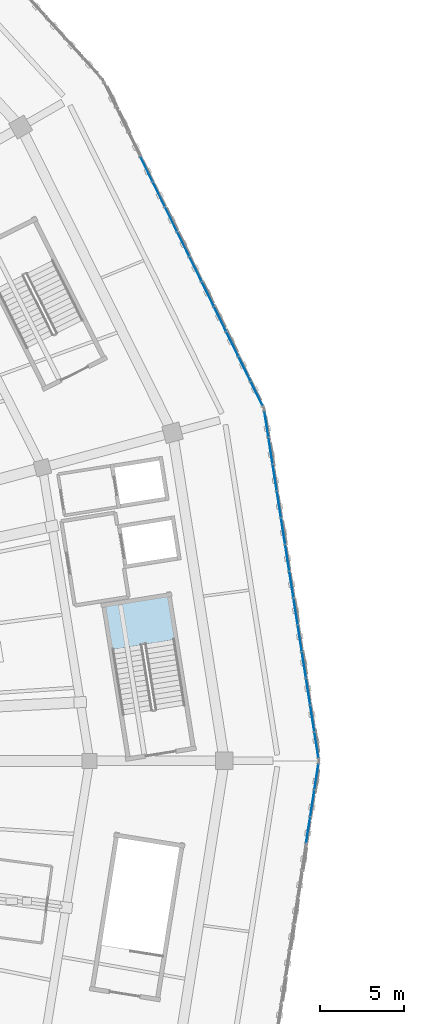
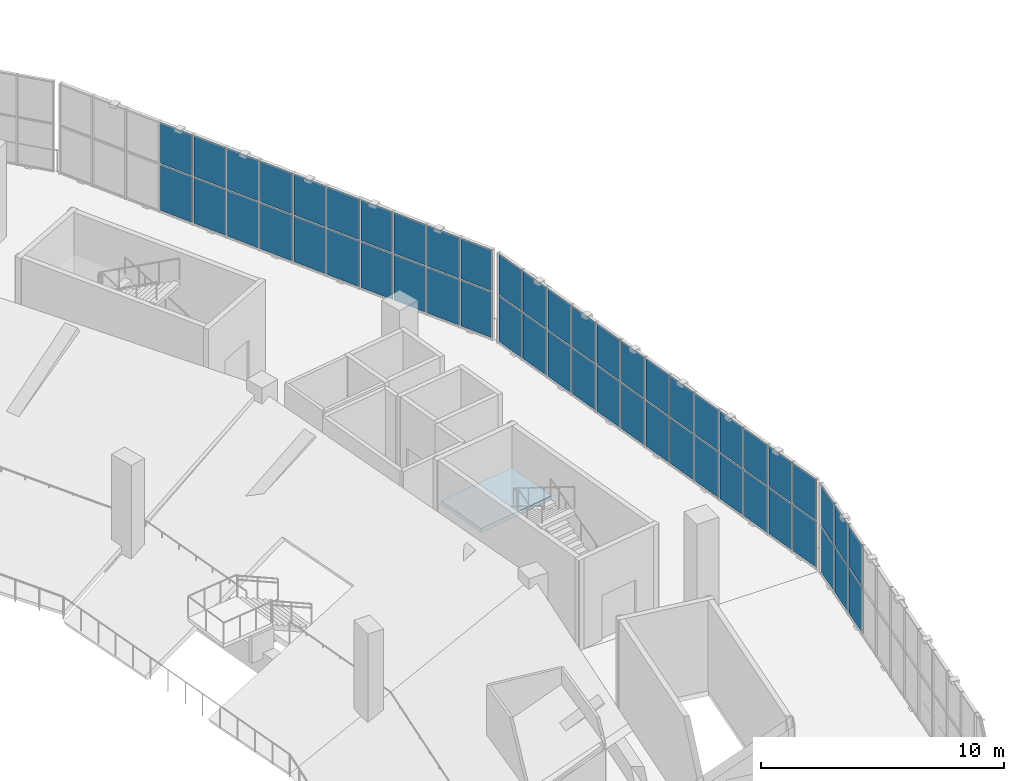
# One storey, part 81 of 152: 52 plates, 1 slab, 4 elements without a shape of their own.
"""IFC4 building model written with IfcOpenShell, lengths in metres."""

from ifc_helpers import new_model, si_unit, direction, frame, origin, origin_2d, place, context, subcontext, project, spatial, polyline, rectangle, outline, extrude, material, layer, layer_set, type_object, element, aggregate, save


model = new_model("IFC4")

# Units and contexts
model_context = context("Model", 3, precision=1e-05, world=origin(), true_north=direction((0.0, 1.0)))
body_context = subcontext(model_context, "Body", "Model", "MODEL_VIEW")
ifc_project = project(units=[si_unit("LENGTHUNIT", "METRE"), si_unit("AREAUNIT", "SQUARE_METRE"), si_unit("VOLUMEUNIT", "CUBIC_METRE"), si_unit("PLANEANGLEUNIT", "RADIAN"), si_unit("MASSUNIT", "GRAM", prefix="KILO")], contexts=[model_context])

# Site, building, storey
site_placement = place(None, origin())
site = spatial("IfcSite", under=ifc_project, at=site_placement, CompositionType="ELEMENT")
building_placement = place(site_placement, origin())
building = spatial("IfcBuilding", under=site, at=building_placement, Name="Zevraka Park Crest Stadium", CompositionType="ELEMENT")
storey_placement = place(building_placement, frame((0.0, 0.0, 15.0)))
storey = spatial("IfcBuildingStorey", under=building, at=storey_placement, Name="L03", CompositionType="ELEMENT", Elevation=15.0)

# Curtain wall, plates
ifc_material_1 = material(Name="Anodised architectural aluminium and laminated safety glass", Category="aluminium")
curtain_wall_type_1 = type_object("IfcCurtainWallType", Name="CW11", PredefinedType="NOTDEFINED", material=ifc_material_1)
curtain_wall_1_placement = place(storey_placement, origin())
curtain_wall_1 = element("IfcCurtainWall", 1, at=curtain_wall_1_placement, inside=storey, type_object=curtain_wall_type_1, Name="Unitised Ring Curtain Wall CW11 L03-00", PredefinedType="NOTDEFINED")
ifc_material_2 = material(Name="Solar-control laminated double glazing", Category="glass")
ifc_layer_1 = layer(ifc_material_2, 0.028076171875)
ifc_layer_set_1 = layer_set([ifc_layer_1], Name="Solar-control laminated double glazing")
plate_type_1 = type_object("IfcPlateType", Name="CP11", PredefinedType="CURTAIN_PANEL", material=ifc_layer_set_1)
plate_1_placement = place(storey_placement, frame((207.7724609375, 92.937744140625, 0.06494140625), z_axis=(0.0, 0.0, 1.0), x_axis=(-0.154127730222, 0.988050931267, 0.0)))
plate_1 = element("IfcPlate", 2, at=plate_1_placement, type_object=plate_type_1, Name="CW11 panel 1.1", PredefinedType="CURTAIN_PANEL", context=body_context, shape_type="SweptSolid", body=[
    extrude(rectangle(XDim=1.512939453125, YDim=0.028076171875, at=origin_2d()), origin(), (0.0, 0.0, 1.0), 2.302490234375),
])
plate_2_placement = place(storey_placement, frame((207.7724609375, 92.937744140625, 2.4326171875), z_axis=(0.0, 0.0, 1.0), x_axis=(-0.154127730222, 0.988050931267, 0.0)))
plate_2 = element("IfcPlate", 3, at=plate_2_placement, type_object=plate_type_1, Name="CW11 panel 1.2", PredefinedType="CURTAIN_PANEL", context=body_context, shape_type="SweptSolid", body=[
    extrude(rectangle(XDim=1.512939453125, YDim=0.028076171875, at=origin_2d()), origin(), (0.0, 0.0, 1.0), 2.04248046875),
])
plate_3_placement = place(storey_placement, frame((207.526611328125, 94.512939453125, 0.06494140625), z_axis=(0.0, 0.0, 1.0), x_axis=(-0.154127730222, 0.988050931267, 0.0)))
plate_3 = element("IfcPlate", 4, at=plate_3_placement, type_object=plate_type_1, Name="CW11 panel 2.1", PredefinedType="CURTAIN_PANEL", context=body_context, shape_type="SweptSolid", body=[
    extrude(rectangle(XDim=1.545654296875, YDim=0.028076171875, at=origin_2d()), origin(), (0.0, 0.0, 1.0), 2.302490234375),
])
plate_4_placement = place(storey_placement, frame((207.526611328125, 94.512939453125, 2.4326171875), z_axis=(0.0, 0.0, 1.0), x_axis=(-0.154127730222, 0.988050931267, 0.0)))
plate_4 = element("IfcPlate", 5, at=plate_4_placement, type_object=plate_type_1, Name="CW11 panel 2.2", PredefinedType="CURTAIN_PANEL", context=body_context, shape_type="SweptSolid", body=[
    extrude(rectangle(XDim=1.545654296875, YDim=0.028076171875, at=origin_2d()), origin(), (0.0, 0.0, 1.0), 2.04248046875),
])
plate_5_placement = place(storey_placement, frame((207.2783203125, 96.104248046875, 0.06494140625), z_axis=(0.0, 0.0, 1.0), x_axis=(-0.154127730222, 0.988050931267, 0.0)))
plate_5 = element("IfcPlate", 6, at=plate_5_placement, type_object=plate_type_1, Name="CW11 panel 3.1", PredefinedType="CURTAIN_PANEL", context=body_context, shape_type="SweptSolid", body=[
    extrude(rectangle(XDim=1.545654296875, YDim=0.028076171875, at=origin_2d()), origin(), (0.0, 0.0, 1.0), 2.302490234375),
])
plate_6_placement = place(storey_placement, frame((207.2783203125, 96.104248046875, 2.4326171875), z_axis=(0.0, 0.0, 1.0), x_axis=(-0.154127730222, 0.988050931267, 0.0)))
plate_6 = element("IfcPlate", 7, at=plate_6_placement, type_object=plate_type_1, Name="CW11 panel 3.2", PredefinedType="CURTAIN_PANEL", context=body_context, shape_type="SweptSolid", body=[
    extrude(rectangle(XDim=1.545654296875, YDim=0.028076171875, at=origin_2d()), origin(), (0.0, 0.0, 1.0), 2.04248046875),
])
plate_7_placement = place(storey_placement, frame((207.0302734375, 97.695556640625, 0.06494140625), z_axis=(0.0, 0.0, 1.0), x_axis=(-0.154127730222, 0.988050931267, 0.0)))
plate_7 = element("IfcPlate", 8, at=plate_7_placement, type_object=plate_type_1, Name="CW11 panel 4.1", PredefinedType="CURTAIN_PANEL", context=body_context, shape_type="SweptSolid", body=[
    extrude(rectangle(XDim=1.545654296875, YDim=0.028076171875, at=origin_2d()), origin(), (0.0, 0.0, 1.0), 2.302490234375),
])
plate_8_placement = place(storey_placement, frame((207.0302734375, 97.695556640625, 2.4326171875), z_axis=(0.0, 0.0, 1.0), x_axis=(-0.154127730222, 0.988050931267, 0.0)))
plate_8 = element("IfcPlate", 9, at=plate_8_placement, type_object=plate_type_1, Name="CW11 panel 4.2", PredefinedType="CURTAIN_PANEL", context=body_context, shape_type="SweptSolid", body=[
    extrude(rectangle(XDim=1.545654296875, YDim=0.028076171875, at=origin_2d()), origin(), (0.0, 0.0, 1.0), 2.04248046875),
])
plate_9_placement = place(storey_placement, frame((206.781982421875, 99.286865234375, 0.06494140625), z_axis=(0.0, 0.0, 1.0), x_axis=(-0.154127730222, 0.988050931267, 0.0)))
plate_9 = element("IfcPlate", 10, at=plate_9_placement, type_object=plate_type_1, Name="CW11 panel 5.1", PredefinedType="CURTAIN_PANEL", context=body_context, shape_type="SweptSolid", body=[
    extrude(rectangle(XDim=1.545654296875, YDim=0.028076171875, at=origin_2d()), origin(), (0.0, 0.0, 1.0), 2.302490234375),
])
plate_10_placement = place(storey_placement, frame((206.781982421875, 99.286865234375, 2.4326171875), z_axis=(0.0, 0.0, 1.0), x_axis=(-0.154127730222, 0.988050931267, 0.0)))
plate_10 = element("IfcPlate", 11, at=plate_10_placement, type_object=plate_type_1, Name="CW11 panel 5.2", PredefinedType="CURTAIN_PANEL", context=body_context, shape_type="SweptSolid", body=[
    extrude(rectangle(XDim=1.545654296875, YDim=0.028076171875, at=origin_2d()), origin(), (0.0, 0.0, 1.0), 2.04248046875),
])
plate_11_placement = place(storey_placement, frame((206.53369140625, 100.878173828125, 0.06494140625), z_axis=(0.0, 0.0, 1.0), x_axis=(-0.154127730222, 0.988050931267, 0.0)))
plate_11 = element("IfcPlate", 12, at=plate_11_placement, type_object=plate_type_1, Name="CW11 panel 6.1", PredefinedType="CURTAIN_PANEL", context=body_context, shape_type="SweptSolid", body=[
    extrude(rectangle(XDim=1.545654296875, YDim=0.028076171875, at=origin_2d()), origin(), (0.0, 0.0, 1.0), 2.302490234375),
])
plate_12_placement = place(storey_placement, frame((206.53369140625, 100.878173828125, 2.4326171875), z_axis=(0.0, 0.0, 1.0), x_axis=(-0.154127730222, 0.988050931267, 0.0)))
plate_12 = element("IfcPlate", 13, at=plate_12_placement, type_object=plate_type_1, Name="CW11 panel 6.2", PredefinedType="CURTAIN_PANEL", context=body_context, shape_type="SweptSolid", body=[
    extrude(rectangle(XDim=1.545654296875, YDim=0.028076171875, at=origin_2d()), origin(), (0.0, 0.0, 1.0), 2.04248046875),
])
plate_13_placement = place(storey_placement, frame((206.285400390625, 102.469482421875, 0.06494140625), z_axis=(0.0, 0.0, 1.0), x_axis=(-0.154127730222, 0.988050931267, 0.0)))
plate_13 = element("IfcPlate", 14, at=plate_13_placement, type_object=plate_type_1, Name="CW11 panel 7.1", PredefinedType="CURTAIN_PANEL", context=body_context, shape_type="SweptSolid", body=[
    extrude(rectangle(XDim=1.545654296875, YDim=0.028076171875, at=origin_2d()), origin(), (0.0, 0.0, 1.0), 2.302490234375),
])
plate_14_placement = place(storey_placement, frame((206.285400390625, 102.469482421875, 2.4326171875), z_axis=(0.0, 0.0, 1.0), x_axis=(-0.154127730222, 0.988050931267, 0.0)))
plate_14 = element("IfcPlate", 15, at=plate_14_placement, type_object=plate_type_1, Name="CW11 panel 7.2", PredefinedType="CURTAIN_PANEL", context=body_context, shape_type="SweptSolid", body=[
    extrude(rectangle(XDim=1.545654296875, YDim=0.028076171875, at=origin_2d()), origin(), (0.0, 0.0, 1.0), 2.04248046875),
])
plate_15_placement = place(storey_placement, frame((206.037353515625, 104.060791015625, 0.06494140625), z_axis=(0.0, 0.0, 1.0), x_axis=(-0.154127730222, 0.988050931267, 0.0)))
plate_15 = element("IfcPlate", 16, at=plate_15_placement, type_object=plate_type_1, Name="CW11 panel 8.1", PredefinedType="CURTAIN_PANEL", context=body_context, shape_type="SweptSolid", body=[
    extrude(rectangle(XDim=1.545654296875, YDim=0.028076171875, at=origin_2d()), origin(), (0.0, 0.0, 1.0), 2.302490234375),
])
plate_16_placement = place(storey_placement, frame((206.037353515625, 104.060791015625, 2.4326171875), z_axis=(0.0, 0.0, 1.0), x_axis=(-0.154127730222, 0.988050931267, 0.0)))
plate_16 = element("IfcPlate", 17, at=plate_16_placement, type_object=plate_type_1, Name="CW11 panel 8.2", PredefinedType="CURTAIN_PANEL", context=body_context, shape_type="SweptSolid", body=[
    extrude(rectangle(XDim=1.545654296875, YDim=0.028076171875, at=origin_2d()), origin(), (0.0, 0.0, 1.0), 2.04248046875),
])
plate_17_placement = place(storey_placement, frame((205.7890625, 105.652099609375, 0.06494140625), z_axis=(0.0, 0.0, 1.0), x_axis=(-0.154127730222, 0.988050931267, 0.0)))
plate_17 = element("IfcPlate", 18, at=plate_17_placement, type_object=plate_type_1, Name="CW11 panel 9.1", PredefinedType="CURTAIN_PANEL", context=body_context, shape_type="SweptSolid", body=[
    extrude(rectangle(XDim=1.545654296875, YDim=0.028076171875, at=origin_2d()), origin(), (0.0, 0.0, 1.0), 2.302490234375),
])
plate_18_placement = place(storey_placement, frame((205.7890625, 105.652099609375, 2.4326171875), z_axis=(0.0, 0.0, 1.0), x_axis=(-0.154127730222, 0.988050931267, 0.0)))
plate_18 = element("IfcPlate", 19, at=plate_18_placement, type_object=plate_type_1, Name="CW11 panel 9.2", PredefinedType="CURTAIN_PANEL", context=body_context, shape_type="SweptSolid", body=[
    extrude(rectangle(XDim=1.545654296875, YDim=0.028076171875, at=origin_2d()), origin(), (0.0, 0.0, 1.0), 2.04248046875),
])
plate_19_placement = place(storey_placement, frame((205.540771484375, 107.243408203125, 0.06494140625), z_axis=(0.0, 0.0, 1.0), x_axis=(-0.154127730222, 0.988050931267, 0.0)))
plate_19 = element("IfcPlate", 20, at=plate_19_placement, type_object=plate_type_1, Name="CW11 panel 10.1", PredefinedType="CURTAIN_PANEL", context=body_context, shape_type="SweptSolid", body=[
    extrude(rectangle(XDim=1.545654296875, YDim=0.028076171875, at=origin_2d()), origin(), (0.0, 0.0, 1.0), 2.302490234375),
])
plate_20_placement = place(storey_placement, frame((205.540771484375, 107.243408203125, 2.4326171875), z_axis=(0.0, 0.0, 1.0), x_axis=(-0.154127730222, 0.988050931267, 0.0)))
plate_20 = element("IfcPlate", 21, at=plate_20_placement, type_object=plate_type_1, Name="CW11 panel 10.2", PredefinedType="CURTAIN_PANEL", context=body_context, shape_type="SweptSolid", body=[
    extrude(rectangle(XDim=1.545654296875, YDim=0.028076171875, at=origin_2d()), origin(), (0.0, 0.0, 1.0), 2.04248046875),
])
plate_21_placement = place(storey_placement, frame((205.29248046875, 108.834716796875, 0.06494140625), z_axis=(0.0, 0.0, 1.0), x_axis=(-0.154127730222, 0.988050931267, 0.0)))
plate_21 = element("IfcPlate", 22, at=plate_21_placement, type_object=plate_type_1, Name="CW11 panel 11.1", PredefinedType="CURTAIN_PANEL", context=body_context, shape_type="SweptSolid", body=[
    extrude(rectangle(XDim=1.545654296875, YDim=0.028076171875, at=origin_2d()), origin(), (0.0, 0.0, 1.0), 2.302490234375),
])
plate_22_placement = place(storey_placement, frame((205.29248046875, 108.834716796875, 2.4326171875), z_axis=(0.0, 0.0, 1.0), x_axis=(-0.154127730222, 0.988050931267, 0.0)))
plate_22 = element("IfcPlate", 23, at=plate_22_placement, type_object=plate_type_1, Name="CW11 panel 11.2", PredefinedType="CURTAIN_PANEL", context=body_context, shape_type="SweptSolid", body=[
    extrude(rectangle(XDim=1.545654296875, YDim=0.028076171875, at=origin_2d()), origin(), (0.0, 0.0, 1.0), 2.04248046875),
])
plate_23_placement = place(storey_placement, frame((205.04443359375, 110.426025390625, 0.06494140625), z_axis=(0.0, 0.0, 1.0), x_axis=(-0.154127730222, 0.988050931267, 0.0)))
plate_23 = element("IfcPlate", 24, at=plate_23_placement, type_object=plate_type_1, Name="CW11 panel 12.1", PredefinedType="CURTAIN_PANEL", context=body_context, shape_type="SweptSolid", body=[
    extrude(rectangle(XDim=1.545654296875, YDim=0.028076171875, at=origin_2d()), origin(), (0.0, 0.0, 1.0), 2.302490234375),
])
plate_24_placement = place(storey_placement, frame((205.04443359375, 110.426025390625, 2.4326171875), z_axis=(0.0, 0.0, 1.0), x_axis=(-0.154127730222, 0.988050931267, 0.0)))
plate_24 = element("IfcPlate", 25, at=plate_24_placement, type_object=plate_type_1, Name="CW11 panel 12.2", PredefinedType="CURTAIN_PANEL", context=body_context, shape_type="SweptSolid", body=[
    extrude(rectangle(XDim=1.545654296875, YDim=0.028076171875, at=origin_2d()), origin(), (0.0, 0.0, 1.0), 2.04248046875),
])
plate_25_placement = place(storey_placement, frame((204.798583984375, 112.001220703125, 0.06494140625), z_axis=(0.0, 0.0, 1.0), x_axis=(-0.154127730222, 0.988050931267, 0.0)))
plate_25 = element("IfcPlate", 26, at=plate_25_placement, type_object=plate_type_1, Name="CW11 panel 13.1", PredefinedType="CURTAIN_PANEL", context=body_context, shape_type="SweptSolid", body=[
    extrude(rectangle(XDim=1.512939453125, YDim=0.028076171875, at=origin_2d()), origin(), (0.0, 0.0, 1.0), 2.302490234375),
])
plate_26_placement = place(storey_placement, frame((204.798583984375, 112.001220703125, 2.4326171875), z_axis=(0.0, 0.0, 1.0), x_axis=(-0.154127730222, 0.988050931267, 0.0)))
plate_26 = element("IfcPlate", 27, at=plate_26_placement, type_object=plate_type_1, Name="CW11 panel 13.2", PredefinedType="CURTAIN_PANEL", context=body_context, shape_type="SweptSolid", body=[
    extrude(rectangle(XDim=1.512939453125, YDim=0.028076171875, at=origin_2d()), origin(), (0.0, 0.0, 1.0), 2.04248046875),
])
aggregate(curtain_wall_1, [plate_1, plate_2, plate_3, plate_4, plate_5, plate_6, plate_7, plate_8, plate_9, plate_10, plate_11, plate_12, plate_13, plate_14, plate_15, plate_16, plate_17, plate_18, plate_19, plate_20, plate_21, plate_22, plate_23, plate_24, plate_25, plate_26])

curtain_wall_2_placement = place(storey_placement, origin())
curtain_wall_2 = element("IfcCurtainWall", 28, at=curtain_wall_2_placement, inside=storey, type_object=curtain_wall_type_1, Name="Unitised Ring Curtain Wall CW11 L03-23", PredefinedType="NOTDEFINED")
plate_27_placement = place(storey_placement, frame((207.2783203125, 87.895751953125, 0.06494140625), z_axis=(0.0, 0.0, 1.0), x_axis=(0.154127730222, 0.988050931267, 0.0)))
plate_27 = element("IfcPlate", 29, at=plate_27_placement, type_object=plate_type_1, Name="CW11 panel 11.1", PredefinedType="CURTAIN_PANEL", context=body_context, shape_type="SweptSolid", body=[
    extrude(rectangle(XDim=1.545654296875, YDim=0.028076171875, at=origin_2d()), origin(), (0.0, 0.0, 1.0), 2.302490234375),
])
plate_28_placement = place(storey_placement, frame((207.2783203125, 87.895751953125, 2.4326171875), z_axis=(0.0, 0.0, 1.0), x_axis=(0.154127730222, 0.988050931267, 0.0)))
plate_28 = element("IfcPlate", 30, at=plate_28_placement, type_object=plate_type_1, Name="CW11 panel 11.2", PredefinedType="CURTAIN_PANEL", context=body_context, shape_type="SweptSolid", body=[
    extrude(rectangle(XDim=1.545654296875, YDim=0.028076171875, at=origin_2d()), origin(), (0.0, 0.0, 1.0), 2.04248046875),
])
plate_29_placement = place(storey_placement, frame((207.526611328125, 89.487060546875, 0.06494140625), z_axis=(0.0, 0.0, 1.0), x_axis=(0.154127730222, 0.988050931267, 0.0)))
plate_29 = element("IfcPlate", 31, at=plate_29_placement, type_object=plate_type_1, Name="CW11 panel 12.1", PredefinedType="CURTAIN_PANEL", context=body_context, shape_type="SweptSolid", body=[
    extrude(rectangle(XDim=1.545654296875, YDim=0.028076171875, at=origin_2d()), origin(), (0.0, 0.0, 1.0), 2.302490234375),
])
plate_30_placement = place(storey_placement, frame((207.526611328125, 89.487060546875, 2.4326171875), z_axis=(0.0, 0.0, 1.0), x_axis=(0.154127730222, 0.988050931267, 0.0)))
plate_30 = element("IfcPlate", 32, at=plate_30_placement, type_object=plate_type_1, Name="CW11 panel 12.2", PredefinedType="CURTAIN_PANEL", context=body_context, shape_type="SweptSolid", body=[
    extrude(rectangle(XDim=1.545654296875, YDim=0.028076171875, at=origin_2d()), origin(), (0.0, 0.0, 1.0), 2.04248046875),
])
plate_31_placement = place(storey_placement, frame((207.7724609375, 91.062255859375, 0.06494140625), z_axis=(0.0, 0.0, 1.0), x_axis=(0.154127730222, 0.988050931267, 0.0)))
plate_31 = element("IfcPlate", 33, at=plate_31_placement, type_object=plate_type_1, Name="CW11 panel 13.1", PredefinedType="CURTAIN_PANEL", context=body_context, shape_type="SweptSolid", body=[
    extrude(rectangle(XDim=1.512939453125, YDim=0.028076171875, at=origin_2d()), origin(), (0.0, 0.0, 1.0), 2.302490234375),
])
plate_32_placement = place(storey_placement, frame((207.7724609375, 91.062255859375, 2.4326171875), z_axis=(0.0, 0.0, 1.0), x_axis=(0.154127730222, 0.988050931267, 0.0)))
plate_32 = element("IfcPlate", 34, at=plate_32_placement, type_object=plate_type_1, Name="CW11 panel 13.2", PredefinedType="CURTAIN_PANEL", context=body_context, shape_type="SweptSolid", body=[
    extrude(rectangle(XDim=1.512939453125, YDim=0.028076171875, at=origin_2d()), origin(), (0.0, 0.0, 1.0), 2.04248046875),
])
aggregate(curtain_wall_2, [plate_27, plate_28, plate_29, plate_30, plate_31, plate_32])

ifc_material_3 = material(Name="Anodised architectural aluminium and laminated safety glass", Category="aluminium")
curtain_wall_type_2 = type_object("IfcCurtainWallType", Name="CW12", PredefinedType="NOTDEFINED", material=ifc_material_3)
curtain_wall_3_placement = place(storey_placement, origin())
curtain_wall_3 = element("IfcCurtainWall", 35, at=curtain_wall_3_placement, inside=storey, type_object=curtain_wall_type_2, Name="Unitised Ring Curtain Wall CW12 L03-01", PredefinedType="NOTDEFINED")
ifc_material_4 = material(Name="Solar-control laminated double glazing", Category="glass")
ifc_layer_2 = layer(ifc_material_4, 0.028076171875)
ifc_layer_set_2 = layer_set([ifc_layer_2], Name="Solar-control laminated double glazing")
plate_type_2 = type_object("IfcPlateType", Name="CP12", PredefinedType="CURTAIN_PANEL", material=ifc_layer_set_2)
plate_33_placement = place(storey_placement, frame((204.22314453125, 113.8115234375, 0.070068359375), z_axis=(0.0, 0.0, 1.0), x_axis=(-0.440666370912, 0.897670958396, 0.0)))
plate_33 = element("IfcPlate", 36, at=plate_33_placement, type_object=plate_type_2, Name="CW12 panel 1.1", PredefinedType="CURTAIN_PANEL", context=body_context, shape_type="SweptSolid", body=[
    extrude(rectangle(XDim=1.547607421875, YDim=0.028076171875, at=origin_2d()), origin(), (0.0, 0.0, 1.0), 2.294921875),
])
plate_34_placement = place(storey_placement, frame((204.22314453125, 113.8115234375, 2.43505859375), z_axis=(0.0, 0.0, 1.0), x_axis=(-0.440666370912, 0.897670958396, 0.0)))
plate_34 = element("IfcPlate", 37, at=plate_34_placement, type_object=plate_type_2, Name="CW12 panel 1.2", PredefinedType="CURTAIN_PANEL", context=body_context, shape_type="SweptSolid", body=[
    extrude(rectangle(XDim=1.547607421875, YDim=0.028076171875, at=origin_2d()), origin(), (0.0, 0.0, 1.0), 2.034912109375),
])
plate_35_placement = place(storey_placement, frame((203.502685546875, 115.279296875, 0.070068359375), z_axis=(0.0, 0.0, 1.0), x_axis=(-0.440666370912, 0.897670958396, 0.0)))
plate_35 = element("IfcPlate", 38, at=plate_35_placement, type_object=plate_type_2, Name="CW12 panel 2.1", PredefinedType="CURTAIN_PANEL", context=body_context, shape_type="SweptSolid", body=[
    extrude(rectangle(XDim=1.58251953125, YDim=0.028076171875, at=origin_2d()), origin(), (0.0, 0.0, 1.0), 2.294921875),
])
plate_36_placement = place(storey_placement, frame((203.502685546875, 115.279296875, 2.43505859375), z_axis=(0.0, 0.0, 1.0), x_axis=(-0.440666370912, 0.897670958396, 0.0)))
plate_36 = element("IfcPlate", 39, at=plate_36_placement, type_object=plate_type_2, Name="CW12 panel 2.2", PredefinedType="CURTAIN_PANEL", context=body_context, shape_type="SweptSolid", body=[
    extrude(rectangle(XDim=1.58251953125, YDim=0.028076171875, at=origin_2d()), origin(), (0.0, 0.0, 1.0), 2.034912109375),
])
plate_37_placement = place(storey_placement, frame((202.7744140625, 116.7626953125, 0.070068359375), z_axis=(0.0, 0.0, 1.0), x_axis=(-0.440666370912, 0.897670958396, 0.0)))
plate_37 = element("IfcPlate", 40, at=plate_37_placement, type_object=plate_type_2, Name="CW12 panel 3.1", PredefinedType="CURTAIN_PANEL", context=body_context, shape_type="SweptSolid", body=[
    extrude(rectangle(XDim=1.58251953125, YDim=0.028076171875, at=origin_2d()), origin(), (0.0, 0.0, 1.0), 2.294921875),
])
plate_38_placement = place(storey_placement, frame((202.7744140625, 116.7626953125, 2.43505859375), z_axis=(0.0, 0.0, 1.0), x_axis=(-0.440666370912, 0.897670958396, 0.0)))
plate_38 = element("IfcPlate", 41, at=plate_38_placement, type_object=plate_type_2, Name="CW12 panel 3.2", PredefinedType="CURTAIN_PANEL", context=body_context, shape_type="SweptSolid", body=[
    extrude(rectangle(XDim=1.58251953125, YDim=0.028076171875, at=origin_2d()), origin(), (0.0, 0.0, 1.0), 2.034912109375),
])
plate_39_placement = place(storey_placement, frame((202.046142578125, 118.24609375, 0.070068359375), z_axis=(0.0, 0.0, 1.0), x_axis=(-0.440666370912, 0.897670958396, 0.0)))
plate_39 = element("IfcPlate", 42, at=plate_39_placement, type_object=plate_type_2, Name="CW12 panel 4.1", PredefinedType="CURTAIN_PANEL", context=body_context, shape_type="SweptSolid", body=[
    extrude(rectangle(XDim=1.58251953125, YDim=0.028076171875, at=origin_2d()), origin(), (0.0, 0.0, 1.0), 2.294921875),
])
plate_40_placement = place(storey_placement, frame((202.046142578125, 118.24609375, 2.43505859375), z_axis=(0.0, 0.0, 1.0), x_axis=(-0.440666370912, 0.897670958396, 0.0)))
plate_40 = element("IfcPlate", 43, at=plate_40_placement, type_object=plate_type_2, Name="CW12 panel 4.2", PredefinedType="CURTAIN_PANEL", context=body_context, shape_type="SweptSolid", body=[
    extrude(rectangle(XDim=1.58251953125, YDim=0.028076171875, at=origin_2d()), origin(), (0.0, 0.0, 1.0), 2.034912109375),
])
plate_41_placement = place(storey_placement, frame((201.31787109375, 119.7294921875, 0.070068359375), z_axis=(0.0, 0.0, 1.0), x_axis=(-0.440666370912, 0.897670958396, 0.0)))
plate_41 = element("IfcPlate", 44, at=plate_41_placement, type_object=plate_type_2, Name="CW12 panel 5.1", PredefinedType="CURTAIN_PANEL", context=body_context, shape_type="SweptSolid", body=[
    extrude(rectangle(XDim=1.58251953125, YDim=0.028076171875, at=origin_2d()), origin(), (0.0, 0.0, 1.0), 2.294921875),
])
plate_42_placement = place(storey_placement, frame((201.31787109375, 119.7294921875, 2.43505859375), z_axis=(0.0, 0.0, 1.0), x_axis=(-0.440666370912, 0.897670958396, 0.0)))
plate_42 = element("IfcPlate", 45, at=plate_42_placement, type_object=plate_type_2, Name="CW12 panel 5.2", PredefinedType="CURTAIN_PANEL", context=body_context, shape_type="SweptSolid", body=[
    extrude(rectangle(XDim=1.58251953125, YDim=0.028076171875, at=origin_2d()), origin(), (0.0, 0.0, 1.0), 2.034912109375),
])
plate_43_placement = place(storey_placement, frame((200.58984375, 121.213134765625, 0.070068359375), z_axis=(0.0, 0.0, 1.0), x_axis=(-0.440666370912, 0.897670958396, 0.0)))
plate_43 = element("IfcPlate", 46, at=plate_43_placement, type_object=plate_type_2, Name="CW12 panel 6.1", PredefinedType="CURTAIN_PANEL", context=body_context, shape_type="SweptSolid", body=[
    extrude(rectangle(XDim=1.58251953125, YDim=0.028076171875, at=origin_2d()), origin(), (0.0, 0.0, 1.0), 2.294921875),
])
plate_44_placement = place(storey_placement, frame((200.58984375, 121.213134765625, 2.43505859375), z_axis=(0.0, 0.0, 1.0), x_axis=(-0.440666370912, 0.897670958396, 0.0)))
plate_44 = element("IfcPlate", 47, at=plate_44_placement, type_object=plate_type_2, Name="CW12 panel 6.2", PredefinedType="CURTAIN_PANEL", context=body_context, shape_type="SweptSolid", body=[
    extrude(rectangle(XDim=1.58251953125, YDim=0.028076171875, at=origin_2d()), origin(), (0.0, 0.0, 1.0), 2.034912109375),
])
plate_45_placement = place(storey_placement, frame((199.861572265625, 122.696533203125, 0.070068359375), z_axis=(0.0, 0.0, 1.0), x_axis=(-0.440666370912, 0.897670958396, 0.0)))
plate_45 = element("IfcPlate", 48, at=plate_45_placement, type_object=plate_type_2, Name="CW12 panel 7.1", PredefinedType="CURTAIN_PANEL", context=body_context, shape_type="SweptSolid", body=[
    extrude(rectangle(XDim=1.58251953125, YDim=0.028076171875, at=origin_2d()), origin(), (0.0, 0.0, 1.0), 2.294921875),
])
plate_46_placement = place(storey_placement, frame((199.861572265625, 122.696533203125, 2.43505859375), z_axis=(0.0, 0.0, 1.0), x_axis=(-0.440666370912, 0.897670958396, 0.0)))
plate_46 = element("IfcPlate", 49, at=plate_46_placement, type_object=plate_type_2, Name="CW12 panel 7.2", PredefinedType="CURTAIN_PANEL", context=body_context, shape_type="SweptSolid", body=[
    extrude(rectangle(XDim=1.58251953125, YDim=0.028076171875, at=origin_2d()), origin(), (0.0, 0.0, 1.0), 2.034912109375),
])
plate_47_placement = place(storey_placement, frame((199.13330078125, 124.179931640625, 0.070068359375), z_axis=(0.0, 0.0, 1.0), x_axis=(-0.440666370912, 0.897670958396, 0.0)))
plate_47 = element("IfcPlate", 50, at=plate_47_placement, type_object=plate_type_2, Name="CW12 panel 8.1", PredefinedType="CURTAIN_PANEL", context=body_context, shape_type="SweptSolid", body=[
    extrude(rectangle(XDim=1.58251953125, YDim=0.028076171875, at=origin_2d()), origin(), (0.0, 0.0, 1.0), 2.294921875),
])
plate_48_placement = place(storey_placement, frame((199.13330078125, 124.179931640625, 2.43505859375), z_axis=(0.0, 0.0, 1.0), x_axis=(-0.440666370912, 0.897670958396, 0.0)))
plate_48 = element("IfcPlate", 51, at=plate_48_placement, type_object=plate_type_2, Name="CW12 panel 8.2", PredefinedType="CURTAIN_PANEL", context=body_context, shape_type="SweptSolid", body=[
    extrude(rectangle(XDim=1.58251953125, YDim=0.028076171875, at=origin_2d()), origin(), (0.0, 0.0, 1.0), 2.034912109375),
])
plate_49_placement = place(storey_placement, frame((198.405029296875, 125.663330078125, 0.070068359375), z_axis=(0.0, 0.0, 1.0), x_axis=(-0.440666370912, 0.897670958396, 0.0)))
plate_49 = element("IfcPlate", 52, at=plate_49_placement, type_object=plate_type_2, Name="CW12 panel 9.1", PredefinedType="CURTAIN_PANEL", context=body_context, shape_type="SweptSolid", body=[
    extrude(rectangle(XDim=1.58251953125, YDim=0.028076171875, at=origin_2d()), origin(), (0.0, 0.0, 1.0), 2.294921875),
])
plate_50_placement = place(storey_placement, frame((198.405029296875, 125.663330078125, 2.43505859375), z_axis=(0.0, 0.0, 1.0), x_axis=(-0.440666370912, 0.897670958396, 0.0)))
plate_50 = element("IfcPlate", 53, at=plate_50_placement, type_object=plate_type_2, Name="CW12 panel 9.2", PredefinedType="CURTAIN_PANEL", context=body_context, shape_type="SweptSolid", body=[
    extrude(rectangle(XDim=1.58251953125, YDim=0.028076171875, at=origin_2d()), origin(), (0.0, 0.0, 1.0), 2.034912109375),
])
plate_51_placement = place(storey_placement, frame((197.6767578125, 127.14697265625, 0.070068359375), z_axis=(0.0, 0.0, 1.0), x_axis=(-0.440666370912, 0.897670958396, 0.0)))
plate_51 = element("IfcPlate", 54, at=plate_51_placement, type_object=plate_type_2, Name="CW12 panel 10.1", PredefinedType="CURTAIN_PANEL", context=body_context, shape_type="SweptSolid", body=[
    extrude(rectangle(XDim=1.58251953125, YDim=0.028076171875, at=origin_2d()), origin(), (0.0, 0.0, 1.0), 2.294921875),
])
plate_52_placement = place(storey_placement, frame((197.6767578125, 127.14697265625, 2.43505859375), z_axis=(0.0, 0.0, 1.0), x_axis=(-0.440666370912, 0.897670958396, 0.0)))
plate_52 = element("IfcPlate", 55, at=plate_52_placement, type_object=plate_type_2, Name="CW12 panel 10.2", PredefinedType="CURTAIN_PANEL", context=body_context, shape_type="SweptSolid", body=[
    extrude(rectangle(XDim=1.58251953125, YDim=0.028076171875, at=origin_2d()), origin(), (0.0, 0.0, 1.0), 2.034912109375),
])
aggregate(curtain_wall_3, [plate_33, plate_34, plate_35, plate_36, plate_37, plate_38, plate_39, plate_40, plate_41, plate_42, plate_43, plate_44, plate_45, plate_46, plate_47, plate_48, plate_49, plate_50, plate_51, plate_52])

# Stair, slab
ifc_material_5 = material(Name="Concrete C35/45", Category="concrete")
stair_type = type_object("IfcStairType", Name="STA2", PredefinedType="HALF_TURN_STAIR", material=ifc_material_5)
stair_placement = place(storey_placement, origin())
stair = element("IfcStair", 56, at=stair_placement, inside=storey, type_object=stair_type, Name="L03 Protected Concourse Exit Stair ST01", PredefinedType="HALF_TURN_STAIR")
ifc_material_6 = material(Name="Concrete C35/45", Category="concrete")
ifc_layer_3 = layer(ifc_material_6, 0.199951171875)
ifc_layer_set_3 = layer_set([ifc_layer_3], Name="Concrete C35/45")
slab_type = type_object("IfcSlabType", Name="LS01", PredefinedType="LANDING", material=ifc_layer_set_3)
slab_placement = place(storey_placement, frame((0.0, 0.0, 2.199951171875)))
slab = element("IfcSlab", 57, at=slab_placement, type_object=slab_type, Name="ST01 landing 1", PredefinedType="LANDING", context=body_context, shape_type="SweptSolid", body=[
    extrude(outline(polyline([(199.355224609375, 99.205810546875), (198.94482421875, 101.783447265625), (195.2314453125, 101.192138671875), (195.64208984375, 98.614501953125), (199.355224609375, 99.205810546875)])), origin(), (0.0, 0.0, 1.0), 0.199951171875),
])
aggregate(stair, [slab])

save(model, "model.ifc")
